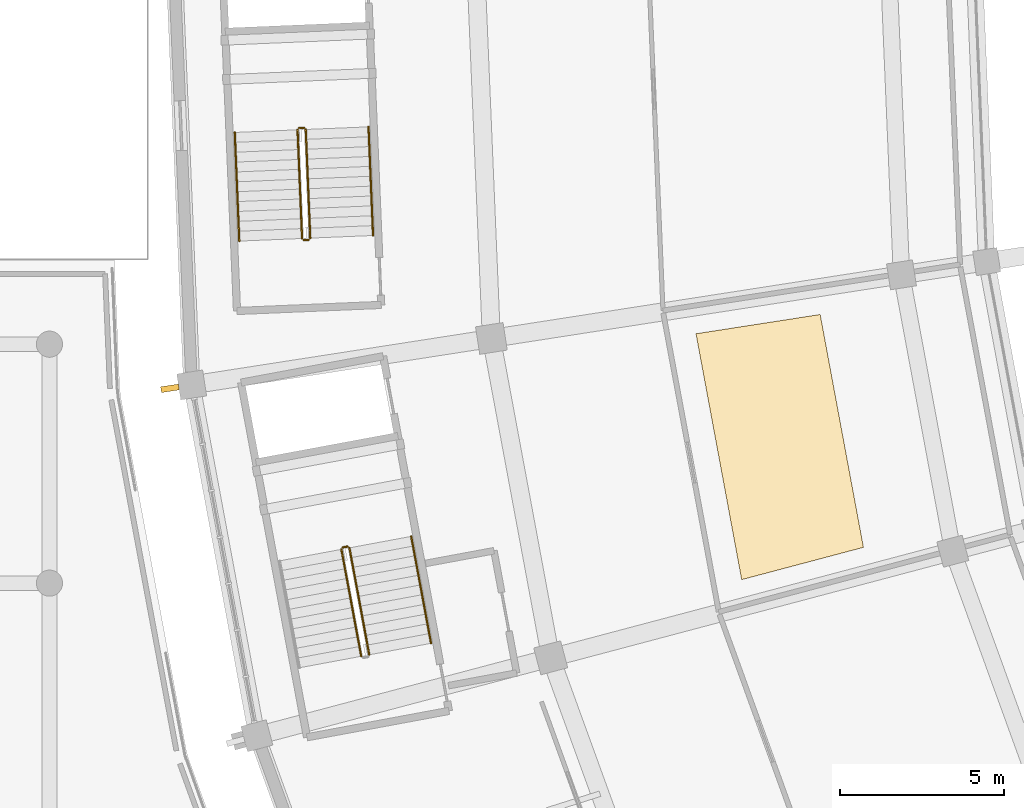
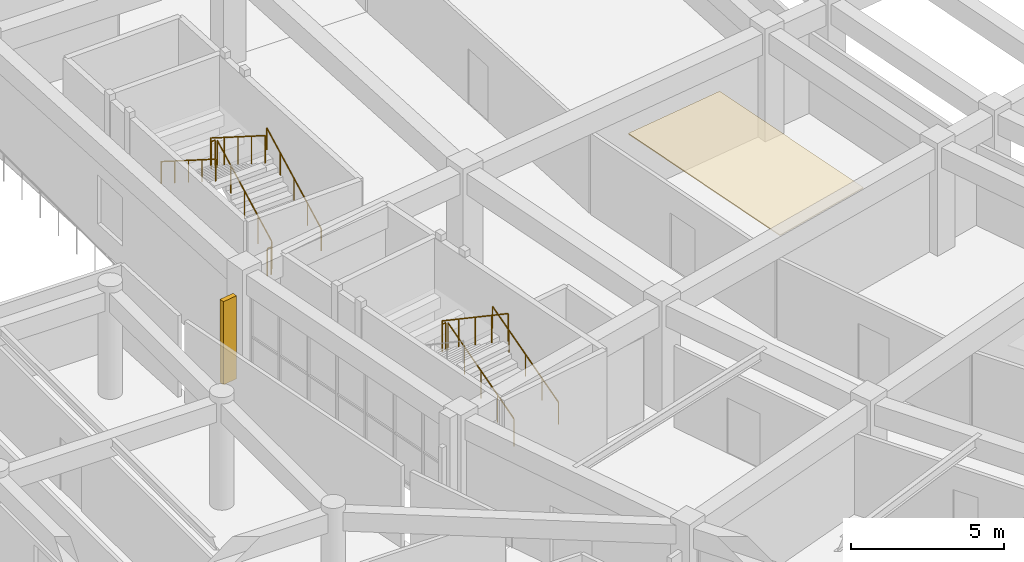
# One storey, part 124 of 145: 10 railings, 1 covering, 1 shading device.
"""IFC4 building model written with IfcOpenShell, lengths in metres."""

from ifc_helpers import new_model, si_unit, direction, frame, origin, origin_2d, place, context, subcontext, project, spatial, polyline, rectangle, circle, outline, extrude, material, layer, layer_set, type_object, element, save


model = new_model("IFC4")

# Units and contexts
model_context = context("Model", 3, precision=1e-05, world=origin(), true_north=direction((0.0, 1.0)))
body_context = subcontext(model_context, "Body", "Model", "MODEL_VIEW")
ifc_project = project(units=[si_unit("LENGTHUNIT", "METRE"), si_unit("AREAUNIT", "SQUARE_METRE"), si_unit("VOLUMEUNIT", "CUBIC_METRE"), si_unit("PLANEANGLEUNIT", "RADIAN"), si_unit("MASSUNIT", "GRAM", prefix="KILO")], contexts=[model_context])

# Site, building, storey
site_placement = place(None, origin())
site = spatial("IfcSite", under=ifc_project, at=site_placement, CompositionType="ELEMENT")
building_placement = place(site_placement, origin())
building = spatial("IfcBuilding", under=site, at=building_placement, Name="Mphavela Belvedere Stadium", CompositionType="ELEMENT")
storey_placement = place(building_placement, frame((0.0, 0.0, 10.199951171875)))
storey = spatial("IfcBuildingStorey", under=building, at=storey_placement, Name="L02", CompositionType="ELEMENT", Elevation=10.199951171875)

# Covering
ifc_material_1 = material(Name="Perforated acoustic mineral ceiling tile")
ifc_layer = layer(ifc_material_1, 0.0400390625)
ifc_layer_set = layer_set([ifc_layer], Name="Perforated acoustic mineral ceiling tile")
covering_type = type_object("IfcCoveringType", Name="COV-CEILING-ACOUSTIC", PredefinedType="CEILING", material=ifc_layer_set)
covering_placement = place(storey_placement, frame((0.0, 0.0, 3.199951171875)))
element("IfcCovering", 1, at=covering_placement, inside=storey, type_object=covering_type, Name="Concourse acoustic ceiling L02-26", PredefinedType="CEILING", context=body_context, shape_type="SweptSolid", body=[
    extrude(outline(polyline([(32.044677734375, 73.307373046875), (33.365966796875, 66.193603515625), (29.646728515625, 65.20751953125), (28.25146484375, 72.718994140625), (32.044677734375, 73.307373046875)])), origin(), (0.0, 0.0, 1.0), 0.0400390625),
])

# Railings
ifc_material_2 = material(Name="Painted galvanised steel stair guardrail", Category="steel")
railing_type_1 = type_object("IfcRailingType", Name="RAL-GUARD-1120", PredefinedType="GUARDRAIL", material=ifc_material_2)
railing_1_placement = place(storey_placement, frame((16.467041015625, 75.640625, 0.1875)))
element("IfcRailing", 2, at=railing_1_placement, inside=storey, type_object=railing_type_1, Name="L02 ST-C08 stair guard 1", PredefinedType="GUARDRAIL", context=body_context, shape_type="SweptSolid", body=[
    extrude(circle(Radius=0.02392578125, at=origin_2d()), frame((0.0, 0.0, 1.09619140625), z_axis=(-0.035589037861, 0.848829771435, 0.527467003243), x_axis=(-0.999122212945, -0.041890375975, 0.0)), (0.0, 0.0, 1.0), 3.91015625),
    extrude(circle(Radius=0.02099609375, at=origin_2d()), origin(), (0.0, 0.0, 1.0), 1.072021484375),
    extrude(circle(Radius=0.02099609375, at=origin_2d()), frame((-0.03466796875, 0.829833984375, 0.515625)), (0.0, 0.0, 1.0), 1.072021484375),
    extrude(circle(Radius=0.02099609375, at=origin_2d()), frame((-0.069580078125, 1.65966796875, 1.03125)), (0.0, 0.0, 1.0), 1.072021484375),
    extrude(circle(Radius=0.02099609375, at=origin_2d()), frame((-0.1044921875, 2.4892578125, 1.546875)), (0.0, 0.0, 1.0), 1.072021484375),
    extrude(circle(Radius=0.02099609375, at=origin_2d()), frame((-0.13916015625, 3.319091796875, 2.0625)), (0.0, 0.0, 1.0), 1.072021484375),
])
railing_2_placement = place(storey_placement, frame((16.27587890625, 79.007568359375, 2.25)))
element("IfcRailing", 3, at=railing_2_placement, inside=storey, type_object=railing_type_1, Name="L02 ST-C08 stair guard 2", PredefinedType="GUARDRAIL", context=body_context, shape_type="SweptSolid", body=[
    extrude(circle(Radius=0.02392578125, at=origin_2d()), frame((0.0, 0.0, 1.09619140625), z_axis=(-0.999104642697, -0.04230736272, 0.0), x_axis=(0.04230736272, -0.999104642697, 0.0)), (0.0, 0.0, 1.0), 0.150146484375),
    extrude(circle(Radius=0.02099609375, at=origin_2d()), origin(), (0.0, 0.0, 1.0), 1.072021484375),
    extrude(circle(Radius=0.02099609375, at=origin_2d()), frame((-0.14990234375, -0.00634765625, 0.0)), (0.0, 0.0, 1.0), 1.072021484375),
])
railing_3_placement = place(storey_placement, frame((16.078125, 78.94921875, 2.4375)))
element("IfcRailing", 4, at=railing_3_placement, inside=storey, type_object=railing_type_1, Name="L02 ST-C08 stair guard 3", PredefinedType="GUARDRAIL", context=body_context, shape_type="SweptSolid", body=[
    extrude(circle(Radius=0.02392578125, at=origin_2d()), frame((0.0, 0.0, 1.09619140625), z_axis=(0.035589037861, -0.848829771435, 0.527467003243), x_axis=(0.999122212945, 0.041890375975, 0.0)), (0.0, 0.0, 1.0), 3.91015625),
    extrude(circle(Radius=0.02099609375, at=origin_2d()), origin(), (0.0, 0.0, 1.0), 1.072021484375),
    extrude(circle(Radius=0.02099609375, at=origin_2d()), frame((0.03466796875, -0.829833984375, 0.515625)), (0.0, 0.0, 1.0), 1.072021484375),
    extrude(circle(Radius=0.02099609375, at=origin_2d()), frame((0.069580078125, -1.65966796875, 1.03125)), (0.0, 0.0, 1.0), 1.072021484375),
    extrude(circle(Radius=0.02099609375, at=origin_2d()), frame((0.1044921875, -2.4892578125, 1.546875)), (0.0, 0.0, 1.0), 1.072021484375),
    extrude(circle(Radius=0.02099609375, at=origin_2d()), frame((0.13916015625, -3.319091796875, 2.0625)), (0.0, 0.0, 1.0), 1.072021484375),
])
railing_4_placement = place(storey_placement, frame((16.419189453125, 75.58837890625, 0.0)))
element("IfcRailing", 5, at=railing_4_placement, inside=storey, type_object=railing_type_1, Name="L02 ST-C08 stair guard 4", PredefinedType="GUARDRAIL", context=body_context, shape_type="SweptSolid", body=[
    extrude(circle(Radius=0.02392578125, at=origin_2d()), frame((0.0, 0.0, 1.09619140625), z_axis=(-0.999172107982, -0.040682903419, 0.0), x_axis=(0.040682903419, -0.999172107982, 0.0)), (0.0, 0.0, 1.0), 0.150146484375),
    extrude(circle(Radius=0.02099609375, at=origin_2d()), origin(), (0.0, 0.0, 1.0), 1.072021484375),
    extrude(circle(Radius=0.02099609375, at=origin_2d()), frame((-0.14990234375, -0.006103515625, 0.0)), (0.0, 0.0, 1.0), 1.072021484375),
])
railing_5_placement = place(storey_placement, frame((18.27001953125, 62.91162109375, 0.1875)))
element("IfcRailing", 6, at=railing_5_placement, inside=storey, type_object=railing_type_1, Name="L02 ST-C09 stair guard 1", PredefinedType="GUARDRAIL", context=body_context, shape_type="SweptSolid", body=[
    extrude(circle(Radius=0.02392578125, at=origin_2d()), frame((0.0, 0.0, 1.09619140625), z_axis=(-0.155156569333, 0.835285547097, 0.527469898481), x_axis=(-0.983181950141, -0.182628729713, 0.0)), (0.0, 0.0, 1.0), 3.91015625),
    extrude(circle(Radius=0.02099609375, at=origin_2d()), origin(), (0.0, 0.0, 1.0), 1.072021484375),
    extrude(circle(Radius=0.02099609375, at=origin_2d()), frame((-0.151611328125, 0.81640625, 0.515625)), (0.0, 0.0, 1.0), 1.072021484375),
    extrude(circle(Radius=0.02099609375, at=origin_2d()), frame((-0.30322265625, 1.633056640625, 1.03125)), (0.0, 0.0, 1.0), 1.072021484375),
    extrude(circle(Radius=0.02099609375, at=origin_2d()), frame((-0.455078125, 2.44970703125, 1.546875)), (0.0, 0.0, 1.0), 1.072021484375),
    extrude(circle(Radius=0.02099609375, at=origin_2d()), frame((-0.606689453125, 3.26611328125, 2.0625)), (0.0, 0.0, 1.0), 1.072021484375),
])
railing_6_placement = place(storey_placement, frame((17.60498046875, 66.2177734375, 2.25)))
element("IfcRailing", 7, at=railing_6_placement, inside=storey, type_object=railing_type_1, Name="L02 ST-C09 stair guard 2", PredefinedType="GUARDRAIL", context=body_context, shape_type="SweptSolid", body=[
    extrude(circle(Radius=0.02392578125, at=origin_2d()), frame((0.0, 0.0, 1.09619140625), z_axis=(-0.983238797529, -0.182322426032, 0.0), x_axis=(0.182322426032, -0.983238797529, 0.0)), (0.0, 0.0, 1.0), 0.14990234375),
    extrude(circle(Radius=0.02099609375, at=origin_2d()), origin(), (0.0, 0.0, 1.0), 1.072021484375),
    extrude(circle(Radius=0.02099609375, at=origin_2d()), frame((-0.1474609375, -0.02734375, 0.0)), (0.0, 0.0, 1.0), 1.072021484375),
])
railing_7_placement = place(storey_placement, frame((17.41748046875, 66.132080078125, 2.4375)))
element("IfcRailing", 8, at=railing_7_placement, inside=storey, type_object=railing_type_1, Name="L02 ST-C09 stair guard 3", PredefinedType="GUARDRAIL", context=body_context, shape_type="SweptSolid", body=[
    extrude(circle(Radius=0.02392578125, at=origin_2d()), frame((0.0, 0.0, 1.09619140625), z_axis=(0.155156569333, -0.835285547097, 0.527469898481), x_axis=(0.983181950141, 0.182628729713, 0.0)), (0.0, 0.0, 1.0), 3.91015625),
    extrude(circle(Radius=0.02099609375, at=origin_2d()), origin(), (0.0, 0.0, 1.0), 1.072021484375),
    extrude(circle(Radius=0.02099609375, at=origin_2d()), frame((0.151611328125, -0.81640625, 0.515625)), (0.0, 0.0, 1.0), 1.072021484375),
    extrude(circle(Radius=0.02099609375, at=origin_2d()), frame((0.30322265625, -1.633056640625, 1.03125)), (0.0, 0.0, 1.0), 1.072021484375),
    extrude(circle(Radius=0.02099609375, at=origin_2d()), frame((0.455078125, -2.44970703125, 1.546875)), (0.0, 0.0, 1.0), 1.072021484375),
    extrude(circle(Radius=0.02099609375, at=origin_2d()), frame((0.606689453125, -3.26611328125, 2.0625)), (0.0, 0.0, 1.0), 1.072021484375),
])
ifc_material_3 = material(Name="Brushed stainless steel tubular handrail", Category="steel")
railing_type_2 = type_object("IfcRailingType", Name="RAL-HANDRAIL-900", PredefinedType="HANDRAIL", material=ifc_material_3)
railing_8_placement = place(storey_placement, frame((18.38525390625, 75.720947265625, 0.1875)))
element("IfcRailing", 9, at=railing_8_placement, inside=storey, type_object=railing_type_2, Name="L02 ST-C08 stair handrail 1", PredefinedType="HANDRAIL", context=body_context, shape_type="SweptSolid", body=[
    extrude(circle(Radius=0.02392578125, at=origin_2d()), frame((0.0, 0.0, 0.8759765625), z_axis=(-0.035526679826, 0.848831655946, 0.527468174287), x_axis=(-0.999125286162, -0.041817012712, 0.0)), (0.0, 0.0, 1.0), 3.91015625),
    extrude(circle(Radius=0.02099609375, at=origin_2d()), origin(), (0.0, 0.0, 1.0), 0.851806640625),
    extrude(circle(Radius=0.02099609375, at=origin_2d()), frame((-0.03466796875, 0.829833984375, 0.515625)), (0.0, 0.0, 1.0), 0.851806640625),
    extrude(circle(Radius=0.02099609375, at=origin_2d()), frame((-0.0693359375, 1.65966796875, 1.03125)), (0.0, 0.0, 1.0), 0.851806640625),
    extrude(circle(Radius=0.02099609375, at=origin_2d()), frame((-0.104248046875, 2.4892578125, 1.546875)), (0.0, 0.0, 1.0), 0.851806640625),
    extrude(circle(Radius=0.02099609375, at=origin_2d()), frame((-0.138916015625, 3.319091796875, 2.0625)), (0.0, 0.0, 1.0), 0.851806640625),
])
railing_9_placement = place(storey_placement, frame((14.159912109375, 78.86865234375, 2.4375)))
element("IfcRailing", 10, at=railing_9_placement, inside=storey, type_object=railing_type_2, Name="L02 ST-C08 stair handrail 2", PredefinedType="HANDRAIL", context=body_context, shape_type="SweptSolid", body=[
    extrude(circle(Radius=0.02392578125, at=origin_2d()), frame((0.0, 0.0, 0.8759765625), z_axis=(0.035526679826, -0.848831655946, 0.527468174287), x_axis=(0.999125286162, 0.041817012712, 0.0)), (0.0, 0.0, 1.0), 3.91015625),
    extrude(circle(Radius=0.02099609375, at=origin_2d()), origin(), (0.0, 0.0, 1.0), 0.851806640625),
    extrude(circle(Radius=0.02099609375, at=origin_2d()), frame((0.03466796875, -0.829833984375, 0.515625)), (0.0, 0.0, 1.0), 0.851806640625),
    extrude(circle(Radius=0.02099609375, at=origin_2d()), frame((0.0693359375, -1.65966796875, 1.03125)), (0.0, 0.0, 1.0), 0.851806640625),
    extrude(circle(Radius=0.02099609375, at=origin_2d()), frame((0.104248046875, -2.4892578125, 1.546875)), (0.0, 0.0, 1.0), 0.851806640625),
    extrude(circle(Radius=0.02099609375, at=origin_2d()), frame((0.138916015625, -3.319091796875, 2.0625)), (0.0, 0.0, 1.0), 0.851806640625),
])
railing_10_placement = place(storey_placement, frame((20.15771484375, 63.26220703125, 0.1875)))
element("IfcRailing", 11, at=railing_10_placement, inside=storey, type_object=railing_type_2, Name="L02 ST-C09 stair handrail 1", PredefinedType="HANDRAIL", context=body_context, shape_type="SweptSolid", body=[
    extrude(circle(Radius=0.02392578125, at=origin_2d()), frame((0.0, 0.0, 0.8759765625), z_axis=(-0.155156569333, 0.835285547097, 0.527469898481), x_axis=(-0.983181950141, -0.182628729713, 0.0)), (0.0, 0.0, 1.0), 3.91015625),
    extrude(circle(Radius=0.02099609375, at=origin_2d()), origin(), (0.0, 0.0, 1.0), 0.851806640625),
    extrude(circle(Radius=0.02099609375, at=origin_2d()), frame((-0.151611328125, 0.81640625, 0.515625)), (0.0, 0.0, 1.0), 0.851806640625),
    extrude(circle(Radius=0.02099609375, at=origin_2d()), frame((-0.30322265625, 1.633056640625, 1.03125)), (0.0, 0.0, 1.0), 0.851806640625),
    extrude(circle(Radius=0.02099609375, at=origin_2d()), frame((-0.455078125, 2.44970703125, 1.546875)), (0.0, 0.0, 1.0), 0.851806640625),
    extrude(circle(Radius=0.02099609375, at=origin_2d()), frame((-0.606689453125, 3.26611328125, 2.0625)), (0.0, 0.0, 1.0), 0.851806640625),
])

# Shading device
ifc_material_4 = material(Name="Honed limestone and bronze vertical brise-soleil fin", Category="masonry")
shading_device_type = type_object("IfcShadingDeviceType", Name="SHD-SOLAR-FIN", PredefinedType="USERDEFINED", material=ifc_material_4)
shading_device_placement = place(storey_placement, frame((12.1796875, 71.0517578125, 0.0), z_axis=(0.0, 0.0, 1.0), x_axis=(-0.98817491911, -0.153330783737, 0.0)))
element("IfcShadingDevice", 12, at=shading_device_placement, inside=storey, type_object=shading_device_type, Name="Classical vertical solar brise-soleil fin L02-26", ObjectType="SOLAR FIN", PredefinedType="USERDEFINED", context=body_context, shape_type="SweptSolid", body=[
    extrude(rectangle(XDim=0.550048828125, YDim=0.179931640625, at=origin_2d()), origin(), (0.0, 0.0, 1.0), 3.320068359375),
])

save(model, "model.ifc")
